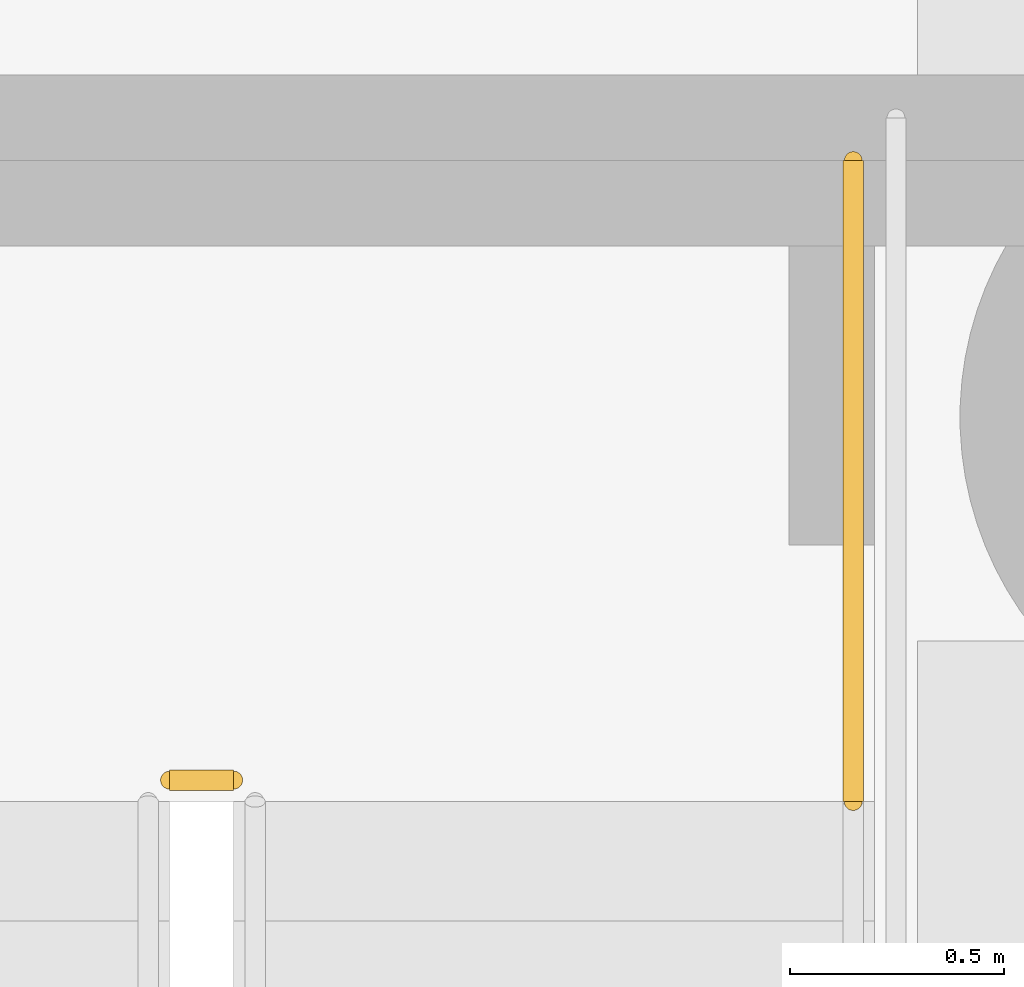
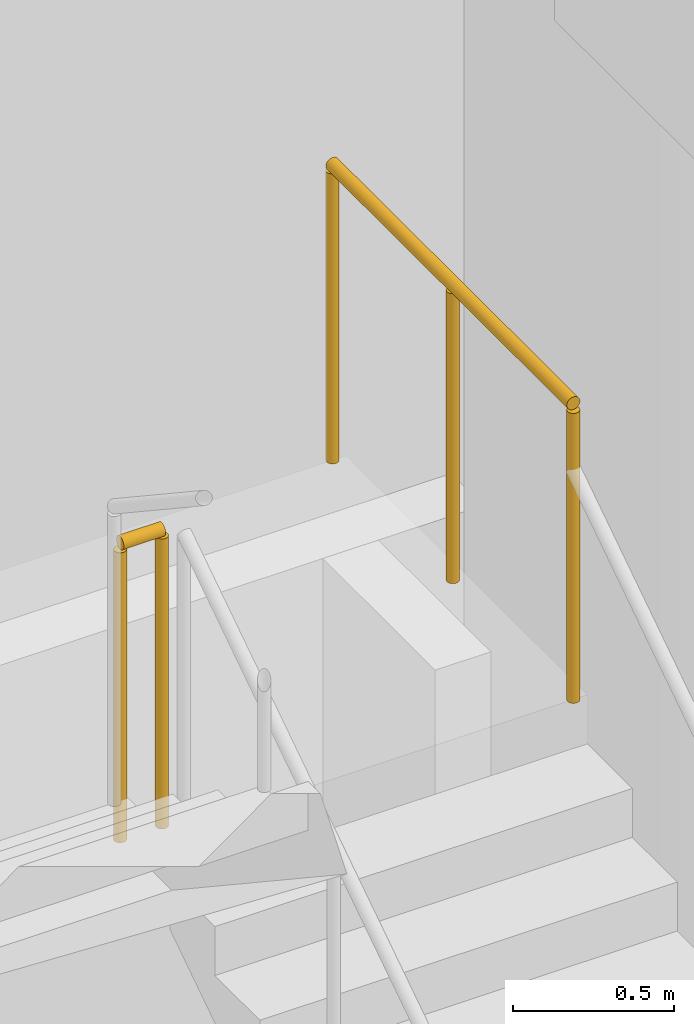
# One storey, part 31 of 32: 2 railings.
"""IFC4 building model written with IfcOpenShell, lengths in metres."""

from ifc_helpers import new_model, si_unit, direction, frame, origin, origin_2d, place, context, subcontext, project, spatial, circle, extrude, material, type_object, element, save


model = new_model("IFC4")

# Units and contexts
model_context = context("Model", 3, precision=1e-05, world=origin(), true_north=direction((0.0, 1.0)))
body_context = subcontext(model_context, "Body", "Model", "MODEL_VIEW")
ifc_project = project(units=[si_unit("LENGTHUNIT", "METRE"), si_unit("AREAUNIT", "SQUARE_METRE"), si_unit("VOLUMEUNIT", "CUBIC_METRE"), si_unit("PLANEANGLEUNIT", "RADIAN"), si_unit("MASSUNIT", "GRAM", prefix="KILO")], contexts=[model_context])

# Site, building, storey
site_placement = place(None, origin())
site = spatial("IfcSite", under=ifc_project, at=site_placement, CompositionType="ELEMENT")
building_placement = place(site_placement, origin())
building = spatial("IfcBuilding", under=site, at=building_placement, Name="Saffron Iwan Residences", CompositionType="ELEMENT")
storey_placement = place(building_placement, origin())
storey = spatial("IfcBuildingStorey", under=building, at=storey_placement, Name="L00", CompositionType="ELEMENT", Elevation=0.0)

# Railings
ifc_material = material(Name="Steel S355", Category="steel")
railing_type = type_object("IfcRailingType", Name="Podium stair guard 1150", PredefinedType="GUARDRAIL", material=ifc_material)
railing_1_placement = place(storey_placement, frame((98.300048828125, 61.550048828125, 3.89990234375)))
element("IfcRailing", 1, at=railing_1_placement, inside=storey, type_object=railing_type, Name="L00 PS4 stair guard 2", PredefinedType="GUARDRAIL", context=body_context, shape_type="SweptSolid", body=[
    extrude(circle(Radius=0.02392578125, at=origin_2d()), frame((0.0, 0.0, 1.1259765625), z_axis=(-1.0, 0.0, 0.0), x_axis=(0.0, -1.0, 0.0)), (0.0, 0.0, 1.0), 0.150146484375),
    extrude(circle(Radius=0.02099609375, at=origin_2d()), origin(), (0.0, 0.0, 1.0), 1.101806640625),
    extrude(circle(Radius=0.02099609375, at=origin_2d()), frame((-0.150146484375, 0.0, 0.0)), (0.0, 0.0, 1.0), 1.101806640625),
])
railing_2_placement = place(storey_placement, frame((99.75, 61.5, 3.89990234375)))
element("IfcRailing", 2, at=railing_2_placement, inside=storey, type_object=railing_type, Name="L00 PS4 stair guard 3", PredefinedType="GUARDRAIL", context=body_context, shape_type="SweptSolid", body=[
    extrude(circle(Radius=0.02392578125, at=origin_2d()), frame((0.0, 0.0, 1.1259765625), z_axis=(0.0, 1.0, 0.0), x_axis=(-1.0, 0.0, 0.0)), (0.0, 0.0, 1.0), 1.5),
    extrude(circle(Radius=0.02099609375, at=origin_2d()), origin(), (0.0, 0.0, 1.0), 1.101806640625),
    extrude(circle(Radius=0.02099609375, at=origin_2d()), frame((0.0, 0.75, 0.0)), (0.0, 0.0, 1.0), 1.101806640625),
    extrude(circle(Radius=0.02099609375, at=origin_2d()), frame((0.0, 1.5, 0.0)), (0.0, 0.0, 1.0), 1.101806640625),
])

save(model, "model.ifc")
